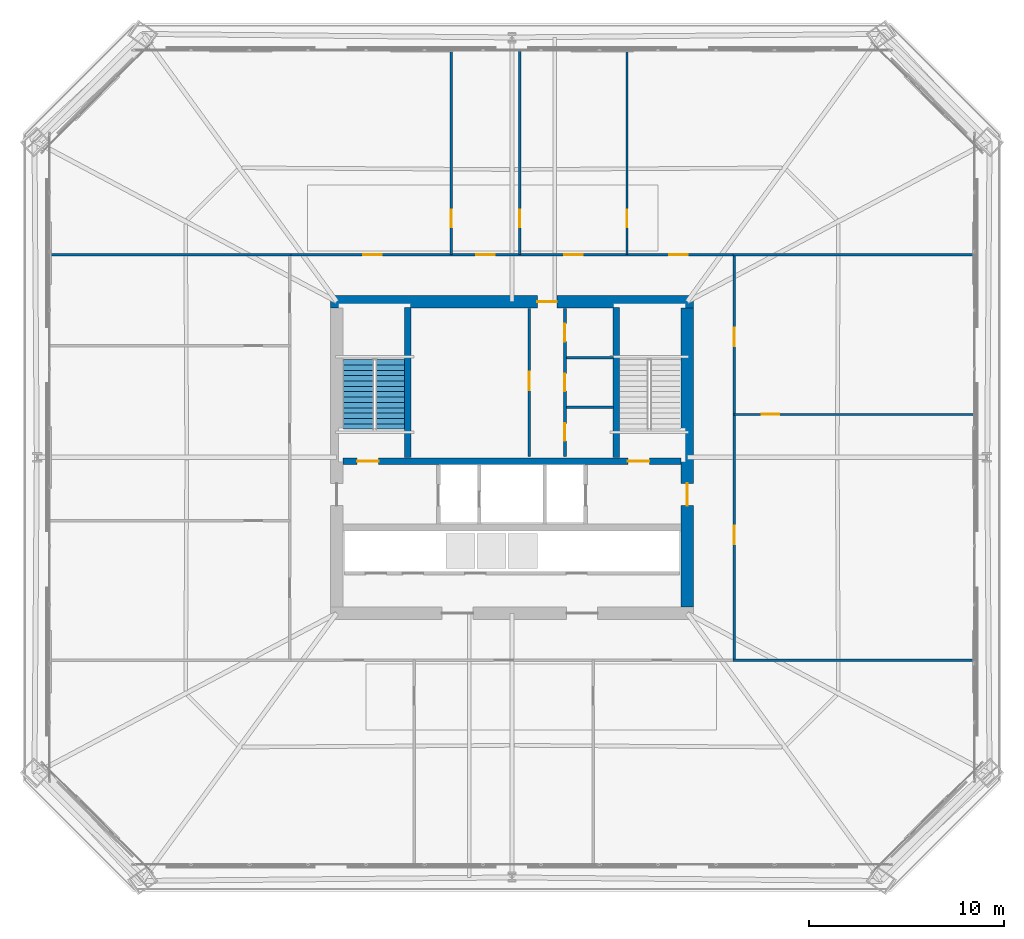
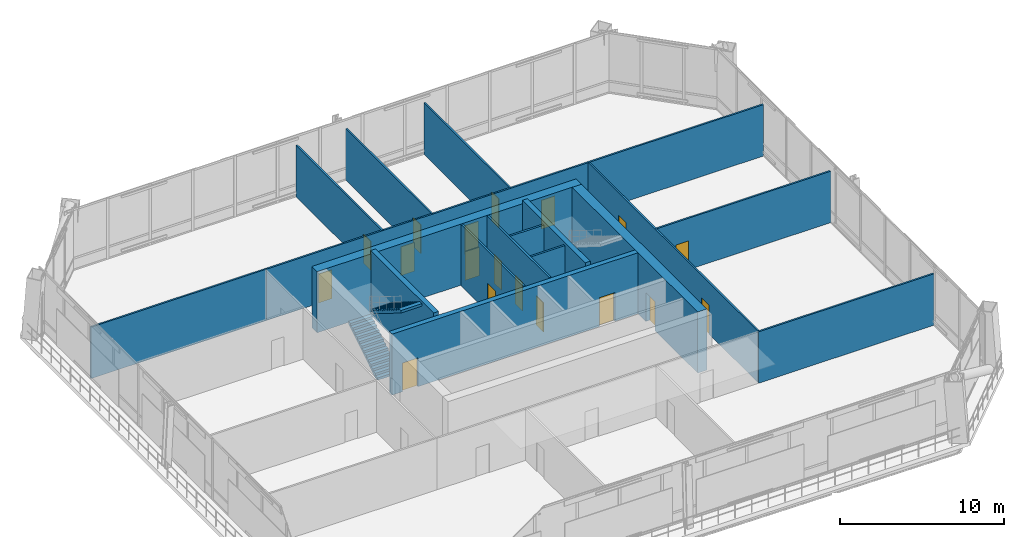
# One storey, part 43 of 48: 18 doors, 18 walls, 2 stair flights, 18 openings, 1 element without a shape of its own.
"""IFC4 building model written with IfcOpenShell, lengths in metres."""

from ifc_helpers import new_model, si_unit, direction, frame, frame_2d, origin, place, context, subcontext, project, spatial, polyline, rectangle, outline, extrude, material, layer, layer_set, type_object, element, fill, aggregate, save


model = new_model("IFC4")

# Units and contexts
model_context = context("Model", 3, precision=1e-05, world=origin(), true_north=direction((0.0, 1.0)))
body_context = subcontext(model_context, "Body", "Model", "MODEL_VIEW")
ifc_project = project(units=[si_unit("LENGTHUNIT", "METRE"), si_unit("AREAUNIT", "SQUARE_METRE"), si_unit("VOLUMEUNIT", "CUBIC_METRE"), si_unit("PLANEANGLEUNIT", "RADIAN"), si_unit("MASSUNIT", "GRAM", prefix="KILO")], contexts=[model_context])

# Site, building, storey
site_placement = place(None, origin())
site = spatial("IfcSite", under=ifc_project, at=site_placement, CompositionType="ELEMENT")
building_placement = place(site_placement, origin())
building = spatial("IfcBuilding", under=site, at=building_placement, Name="Caelvoria Tower", CompositionType="ELEMENT")
storey_placement = place(building_placement, frame((0.0, 0.0, 90.39990234375)))
storey = spatial("IfcBuildingStorey", under=building, at=storey_placement, Name="L23", CompositionType="ELEMENT", Elevation=90.39990234375)

# Wall, openings, doors
ifc_material_1 = material(Name="Concrete C50/60", Category="concrete")
ifc_layer_1 = layer(ifc_material_1, 0.35009765625, Name="Concrete C50/60")
ifc_layer_set_1 = layer_set([ifc_layer_1], Name="Core Internal Shear Wall 350 - Concrete C50/60")
wall_type_1 = type_object("IfcWallType", Name="Core Internal Shear Wall 350", PredefinedType="SHEAR", material=ifc_layer_set_1)
wall_1_placement = place(storey_placement, frame((37.324951171875, 31.800048828125, 0.0), z_axis=(0.0, 0.0, 1.0), x_axis=(1.0, 0.0, 0.0)))
wall_1 = element("IfcWall", 1, at=wall_1_placement, inside=storey, type_object=wall_type_1, Name="Core Shear Wall L23 M1", PredefinedType="SHEAR", context=body_context, shape_type="SweptSolid", body=[
    extrude(rectangle(XDim=17.35009765625, YDim=0.35009765625, at=frame_2d((8.675048828125, 0.0))), origin(), (0.0, 0.0, 1.0), 4.56005859375),
])
opening_1_placement = place(wall_1_placement, frame((0.72509765625, 0.0, 0.0)))
opening_1 = element("IfcOpeningElement", 2, at=opening_1_placement, cuts=wall_1, Name="Opening ID-01", PredefinedType="OPENING", context=body_context, shape_type="SweptSolid", body=[
    extrude(rectangle(XDim=1.10009765625, YDim=2.14990234375, at=frame_2d((0.550048828125, 1.074951171875))), frame((0.0, 0.18505859375, 0.0), z_axis=(0.0, -1.0, 0.0), x_axis=(1.0, 0.0, 0.0)), (0.0, 0.0, 1.0), 0.3701171875),
])
opening_2_placement = place(wall_1_placement, frame((14.625, 0.0, 0.0)))
opening_2 = element("IfcOpeningElement", 3, at=opening_2_placement, cuts=wall_1, Name="Opening ID-01", PredefinedType="OPENING", context=body_context, shape_type="SweptSolid", body=[
    extrude(rectangle(XDim=1.10009765625, YDim=2.14990234375, at=frame_2d((0.550048828125, 1.074951171875))), frame((0.0, 0.18505859375, 0.0), z_axis=(0.0, -1.0, 0.0), x_axis=(1.0, 0.0, 0.0)), (0.0, 0.0, 1.0), 0.3701171875),
])
ifc_material_2 = material(Name="Painted Hollow Steel Fire Door", Category="steel")
door_type_1 = type_object("IfcDoorType", Name="Fire Door FD90S 1100x2150", OperationType="NOTDEFINED", PredefinedType="DOOR", material=ifc_material_2)
door_1_placement = place(opening_1_placement, origin())
door_1 = element("IfcDoor", 4, at=door_1_placement, inside=storey, type_object=door_type_1, Name="Core Door DR-L23-ST1", OperationType="SINGLE_SWING_LEFT", OverallHeight=2.14990234375, OverallWidth=1.10009765625, PredefinedType="DOOR", context=body_context, shape_type="SweptSolid", body=[
    extrude(rectangle(XDim=1.10009765625, YDim=2.14990234375, at=frame_2d((0.550048828125, 1.074951171875))), frame((0.0, 0.02490234375, 0.0), z_axis=(0.0, -1.0, 0.0), x_axis=(1.0, 0.0, 0.0)), (0.0, 0.0, 1.0), 0.050048828125),
])
fill(opening_1, door_1)
door_2_placement = place(opening_2_placement, origin())
door_2 = element("IfcDoor", 5, at=door_2_placement, inside=storey, type_object=door_type_1, Name="Core Door DR-L23-ST2", OperationType="SINGLE_SWING_RIGHT", OverallHeight=2.14990234375, OverallWidth=1.10009765625, PredefinedType="DOOR", context=body_context, shape_type="SweptSolid", body=[
    extrude(rectangle(XDim=1.10009765625, YDim=2.14990234375, at=frame_2d((0.550048828125, 1.074951171875))), frame((0.0, 0.02490234375, 0.0), z_axis=(0.0, -1.0, 0.0), x_axis=(1.0, 0.0, 0.0)), (0.0, 0.0, 1.0), 0.050048828125),
])
fill(opening_2, door_2)

# Walls
for number, where, z_axis, x_axis, name in (
    (6, (40.64990234375, 32.0, 0.0), (0.0, 0.0, 1.0), (0.0, 1.0, 0.0), "Interior Partition IW-L23-ST1E"),
    (7, (51.35009765625, 32.0, 0.0), (0.0, 0.0, 1.0), (0.0, 1.0, 0.0), "Interior Partition IW-L23-ST2W"),
):
    element("IfcWall", number, at=place(storey_placement, frame(where, z_axis=z_axis, x_axis=x_axis)), inside=storey, type_object=wall_type_1, Name=name, PredefinedType="SHEAR", context=body_context, shape_type="SweptSolid", body=[
        extrude(rectangle(XDim=7.699951171875, YDim=0.35009765625, at=frame_2d((3.85009765625, 0.0))), origin(), (0.0, 0.0, 1.0), 4.800048828125),
    ])

# Wall, opening, door
ifc_material_3 = material(Name="Moisture-Resistant Gypsum on Steel Stud", Category="steel")
ifc_layer_2 = layer(ifc_material_3, 0.139892578125, Name="Moisture-Resistant Gypsum on Steel Stud")
ifc_layer_set_2 = layer_set([ifc_layer_2], Name="Core Sanitary Acoustic Partition Wall 140 - Moisture-Resistant Gypsum on Steel Stud")
wall_type_2 = type_object("IfcWallType", Name="Core Sanitary Acoustic Partition Wall 140", PredefinedType="PARTITIONING", material=ifc_layer_set_2)
wall_2_placement = place(storey_placement, frame((46.8798828125, 32.050048828125, 0.0), z_axis=(0.0, 0.0, 1.0), x_axis=(0.0, 1.0, 0.0)))
wall_2 = element("IfcWall", 8, at=wall_2_placement, inside=storey, type_object=wall_type_2, Name="Interior Partition IW-L23-C2L", PredefinedType="PARTITIONING", context=body_context, shape_type="SweptSolid", body=[
    extrude(rectangle(XDim=7.599853515625, YDim=0.139892578125, at=frame_2d((3.7998046875, 0.0))), origin(), (0.0, 0.0, 1.0), 4.56005859375),
])
opening_3_placement = place(wall_2_placement, frame((3.39990234375, 0.0, 0.0)))
opening_3 = element("IfcOpeningElement", 9, at=opening_3_placement, cuts=wall_2, Name="Opening ID-05", PredefinedType="OPENING", context=body_context, shape_type="SweptSolid", body=[
    extrude(rectangle(XDim=0.949951171875, YDim=2.14990234375, at=frame_2d((0.47509765625, 1.074951171875))), frame((0.0, 0.079833984375, 0.0), z_axis=(0.0, -1.0, 0.0), x_axis=(1.0, 0.0, 0.0)), (0.0, 0.0, 1.0), 0.159912109375),
])
ifc_material_4 = material(Name="Engineered Andean Oak Veneer Door", Category="wood")
door_type_2 = type_object("IfcDoorType", Name="Interior Timber Door 950x2150", OperationType="NOTDEFINED", PredefinedType="DOOR", material=ifc_material_4)
door_3_placement = place(opening_3_placement, origin())
door_3 = element("IfcDoor", 10, at=door_3_placement, inside=storey, type_object=door_type_2, Name="Interior Door DR-L23-C2W", OperationType="SINGLE_SWING_LEFT", OverallHeight=2.14990234375, OverallWidth=0.949951171875, PredefinedType="DOOR", context=body_context, shape_type="SweptSolid", body=[
    extrude(rectangle(XDim=0.949951171875, YDim=2.14990234375, at=frame_2d((0.47509765625, 1.074951171875))), frame((0.0, 0.02490234375, 0.0), z_axis=(0.0, -1.0, 0.0), x_axis=(1.0, 0.0, 0.0)), (0.0, 0.0, 1.0), 0.050048828125),
])
fill(opening_3, door_3)

# Wall, openings, doors
wall_3_placement = place(storey_placement, frame((48.719970703125, 32.050048828125, 0.0), z_axis=(0.0, 0.0, 1.0), x_axis=(0.0, 1.0, 0.0)))
wall_3 = element("IfcWall", 11, at=wall_3_placement, inside=storey, type_object=wall_type_2, Name="Interior Partition IW-L23-C2R", PredefinedType="PARTITIONING", context=body_context, shape_type="SweptSolid", body=[
    extrude(rectangle(XDim=7.599853515625, YDim=0.139892578125, at=frame_2d((3.7998046875, 0.0))), origin(), (0.0, 0.0, 1.0), 4.56005859375),
])
opening_4_placement = place(wall_3_placement, frame((0.800048828125, 0.0, 0.0)))
opening_4 = element("IfcOpeningElement", 12, at=opening_4_placement, cuts=wall_3, Name="Opening ID-04", PredefinedType="OPENING", context=body_context, shape_type="SweptSolid", body=[
    extrude(rectangle(XDim=0.89990234375, YDim=2.14990234375, at=frame_2d((0.449951171875, 1.074951171875))), frame((0.0, 0.079833984375, 0.0), z_axis=(0.0, -1.0, 0.0), x_axis=(1.0, 0.0, 0.0)), (0.0, 0.0, 1.0), 0.159912109375),
])
opening_5_placement = place(wall_3_placement, frame((3.35009765625, 0.0, 0.0)))
opening_5 = element("IfcOpeningElement", 13, at=opening_5_placement, cuts=wall_3, Name="Opening ID-06", PredefinedType="OPENING", context=body_context, shape_type="SweptSolid", body=[
    extrude(rectangle(XDim=0.89990234375, YDim=2.14990234375, at=frame_2d((0.449951171875, 1.074951171875))), frame((0.0, 0.079833984375, 0.0), z_axis=(0.0, -1.0, 0.0), x_axis=(1.0, 0.0, 0.0)), (0.0, 0.0, 1.0), 0.159912109375),
])
opening_6_placement = place(wall_3_placement, frame((5.89990234375, 0.0, 0.0)))
opening_6 = element("IfcOpeningElement", 14, at=opening_6_placement, cuts=wall_3, Name="Opening ID-07", PredefinedType="OPENING", context=body_context, shape_type="SweptSolid", body=[
    extrude(rectangle(XDim=0.919921875, YDim=2.14990234375, at=frame_2d((0.4599609375, 1.074951171875))), frame((0.0, 0.079833984375, 0.0), z_axis=(0.0, -1.0, 0.0), x_axis=(1.0, 0.0, 0.0)), (0.0, 0.0, 1.0), 0.159912109375),
])
ifc_material_5 = material(Name="Engineered Andean Oak Accessible Door", Category="wood")
door_type_3 = type_object("IfcDoorType", Name="Accessible WC Door 950x2150", OperationType="NOTDEFINED", PredefinedType="DOOR", material=ifc_material_5)
door_4_placement = place(opening_6_placement, origin())
door_4 = element("IfcDoor", 15, at=door_4_placement, inside=storey, type_object=door_type_3, Name="Interior Door DR-L23-C2E3", OperationType="SINGLE_SWING_RIGHT", OverallHeight=2.14990234375, OverallWidth=0.919921875, PredefinedType="DOOR", context=body_context, shape_type="SweptSolid", body=[
    extrude(rectangle(XDim=0.919921875, YDim=2.14990234375, at=frame_2d((0.4599609375, 1.074951171875))), frame((0.0, 0.02490234375, 0.0), z_axis=(0.0, -1.0, 0.0), x_axis=(1.0, 0.0, 0.0)), (0.0, 0.0, 1.0), 0.050048828125),
])
fill(opening_6, door_4)
ifc_material_6 = material(Name="Acoustic Timber Fire Door", Category="wood")
door_type_4 = type_object("IfcDoorType", Name="Fire Door FD30S 900x2150", OperationType="NOTDEFINED", PredefinedType="DOOR", material=ifc_material_6)
door_5_placement = place(opening_4_placement, origin())
door_5 = element("IfcDoor", 16, at=door_5_placement, inside=storey, type_object=door_type_4, Name="Interior Door DR-L23-C2E1", OperationType="SINGLE_SWING_RIGHT", OverallHeight=2.14990234375, OverallWidth=0.89990234375, PredefinedType="DOOR", context=body_context, shape_type="SweptSolid", body=[
    extrude(rectangle(XDim=0.89990234375, YDim=2.14990234375, at=frame_2d((0.449951171875, 1.074951171875))), frame((0.0, 0.02490234375, 0.0), z_axis=(0.0, -1.0, 0.0), x_axis=(1.0, 0.0, 0.0)), (0.0, 0.0, 1.0), 0.050048828125),
])
fill(opening_4, door_5)
door_type_5 = type_object("IfcDoorType", Name="Interior Timber Door 900x2150", OperationType="NOTDEFINED", PredefinedType="DOOR", material=ifc_material_4)
door_6_placement = place(opening_5_placement, origin())
door_6 = element("IfcDoor", 17, at=door_6_placement, inside=storey, type_object=door_type_5, Name="Interior Door DR-L23-C2E2", OperationType="SINGLE_SWING_LEFT", OverallHeight=2.14990234375, OverallWidth=0.89990234375, PredefinedType="DOOR", context=body_context, shape_type="SweptSolid", body=[
    extrude(rectangle(XDim=0.89990234375, YDim=2.14990234375, at=frame_2d((0.449951171875, 1.074951171875))), frame((0.0, 0.02490234375, 0.0), z_axis=(0.0, -1.0, 0.0), x_axis=(1.0, 0.0, 0.0)), (0.0, 0.0, 1.0), 0.050048828125),
])
fill(opening_5, door_6)

# Walls
for number, where, z_axis, x_axis, name in (
    (18, (48.800048828125, 34.580078125, 0.0), (0.0, 0.0, 1.0), (1.0, 0.0, 0.0), "Interior Partition IW-L23-C2H1"),
    (19, (48.800048828125, 37.1201171875, 0.0), (0.0, 0.0, 1.0), (1.0, 0.0, 0.0), "Interior Partition IW-L23-C2H2"),
):
    element("IfcWall", number, at=place(storey_placement, frame(where, z_axis=z_axis, x_axis=x_axis)), inside=storey, type_object=wall_type_2, Name=name, PredefinedType="PARTITIONING", context=body_context, shape_type="SweptSolid", body=[
        extrude(rectangle(XDim=2.39990234375, YDim=0.139892578125, at=frame_2d((1.199951171875, 0.0))), origin(), (0.0, 0.0, 1.0), 4.56005859375),
    ])

# Wall, opening, door
ifc_material_7 = material(Name="Concrete C60/75", Category="concrete")
ifc_layer_3 = layer(ifc_material_7, 0.64990234375, Name="Concrete C60/75")
ifc_layer_set_3 = layer_set([ifc_layer_3], Name="Lower Core Shear Wall 650 - Concrete C60/75")
wall_type_3 = type_object("IfcWallType", Name="Lower Core Shear Wall 650", PredefinedType="SHEAR", material=ifc_layer_set_3)
wall_4_placement = place(storey_placement, frame((36.675048828125, 40.0, 0.0), z_axis=(0.0, 0.0, 1.0), x_axis=(1.0, 0.0, 0.0)))
wall_4 = element("IfcWall", 20, at=wall_4_placement, inside=storey, type_object=wall_type_3, Name="Core Shear Wall L23 N", PredefinedType="SHEAR", context=body_context, shape_type="SweptSolid", body=[
    extrude(rectangle(XDim=18.64990234375, YDim=0.64990234375, at=frame_2d((9.324951171875, 0.0))), origin(), (0.0, 0.0, 1.0), 4.56005859375),
])
opening_7_placement = place(wall_4_placement, frame((10.625, 0.0, 0.0)))
opening_7 = element("IfcOpeningElement", 21, at=opening_7_placement, cuts=wall_4, Name="Opening ID-03", PredefinedType="OPENING", context=body_context, shape_type="SweptSolid", body=[
    extrude(rectangle(XDim=1.0, YDim=2.14990234375, at=frame_2d((0.5, 1.074951171875))), frame((0.0, 0.3349609375, 0.0), z_axis=(0.0, -1.0, 0.0), x_axis=(1.0, 0.0, 0.0)), (0.0, 0.0, 1.0), 0.669921875),
])
door_type_6 = type_object("IfcDoorType", Name="Fire Door FD60S 1000x2150", OperationType="NOTDEFINED", PredefinedType="DOOR", material=ifc_material_2)
door_7_placement = place(opening_7_placement, origin())
door_7 = element("IfcDoor", 22, at=door_7_placement, inside=storey, type_object=door_type_6, Name="Core Door DR-L23-WC-MAIN", OperationType="SINGLE_SWING_RIGHT", OverallHeight=2.14990234375, OverallWidth=1.0, PredefinedType="DOOR", context=body_context, shape_type="SweptSolid", body=[
    extrude(rectangle(XDim=1.0, YDim=2.14990234375, at=frame_2d((0.5, 1.074951171875))), frame((0.0, 0.02490234375, 0.0), z_axis=(0.0, -1.0, 0.0), x_axis=(1.0, 0.0, 0.0)), (0.0, 0.0, 1.0), 0.050048828125),
])
fill(opening_7, door_7)

wall_5_placement = place(storey_placement, frame((55.0, 24.324951171875, 0.0), z_axis=(0.0, 0.0, 1.0), x_axis=(0.0, 1.0, 0.0)))
wall_5 = element("IfcWall", 23, at=wall_5_placement, inside=storey, type_object=wall_type_3, Name="Core Shear Wall L23 E", PredefinedType="SHEAR", context=body_context, shape_type="SweptSolid", body=[
    extrude(rectangle(XDim=15.35009765625, YDim=0.64990234375, at=frame_2d((7.675048828125, 0.0))), origin(), (0.0, 0.0, 1.0), 4.56005859375),
])
opening_8_placement = place(wall_5_placement, frame((5.199951171875, 0.0, 0.0)))
opening_8 = element("IfcOpeningElement", 24, at=opening_8_placement, cuts=wall_5, Name="Opening ID-02", PredefinedType="OPENING", context=body_context, shape_type="SweptSolid", body=[
    extrude(rectangle(XDim=1.14990234375, YDim=2.14990234375, at=frame_2d((0.574951171875, 1.074951171875))), frame((0.0, 0.3349609375, 0.0), z_axis=(0.0, -1.0, 0.0), x_axis=(1.0, 0.0, 0.0)), (0.0, 0.0, 1.0), 0.669921875),
])
door_type_7 = type_object("IfcDoorType", Name="Fire Door FD60S 1150x2150", OperationType="NOTDEFINED", PredefinedType="DOOR", material=ifc_material_2)
door_8_placement = place(opening_8_placement, origin())
door_8 = element("IfcDoor", 25, at=door_8_placement, inside=storey, type_object=door_type_7, Name="Core Door DR-L23-FFLE-OUT", OperationType="SINGLE_SWING_RIGHT", OverallHeight=2.14990234375, OverallWidth=1.14990234375, PredefinedType="DOOR", context=body_context, shape_type="SweptSolid", body=[
    extrude(rectangle(XDim=1.14990234375, YDim=2.14990234375, at=frame_2d((0.574951171875, 1.074951171875))), frame((0.0, 0.02490234375, 0.0), z_axis=(0.0, -1.0, 0.0), x_axis=(1.0, 0.0, 0.0)), (0.0, 0.0, 1.0), 0.050048828125),
])
fill(opening_8, door_8)

ifc_material_8 = material(Name="Acoustic Gypsum Board on Light-Gauge Stud", Category="gypsum")
ifc_layer_4 = layer(ifc_material_8, 0.1201171875, Name="Acoustic Gypsum Board on Light-Gauge Stud")
ifc_layer_set_4 = layer_set([ifc_layer_4], Name="Tenant Suite Acoustic Partition Wall 120 - Acoustic Gypsum Board on Light-Gauge Stud")
wall_type_4 = type_object("IfcWallType", Name="Tenant Suite Acoustic Partition Wall 120", PredefinedType="PARTITIONING", material=ifc_layer_set_4)
wall_6_placement = place(storey_placement, frame((42.872314453125, 42.409912109375, 0.0), z_axis=(0.0, 0.0, 1.0), x_axis=(0.0, 1.0, 0.0)))
wall_6 = element("IfcWall", 26, at=wall_6_placement, inside=storey, type_object=wall_type_4, Name="Interior Partition IW-L23-ND-00-0", PredefinedType="PARTITIONING", context=body_context, shape_type="SweptSolid", body=[
    extrude(rectangle(XDim=10.493408203125, YDim=0.1201171875, at=frame_2d((5.24658203125, 0.0))), origin(), (0.0, 0.0, 1.0), 3.840087890625),
])
opening_9_placement = place(wall_6_placement, frame((1.39990234375, 0.0, 0.0)))
opening_9 = element("IfcOpeningElement", 27, at=opening_9_placement, cuts=wall_6, Name="Opening ID-06", PredefinedType="OPENING", context=body_context, shape_type="SweptSolid", body=[
    extrude(rectangle(XDim=0.89990234375, YDim=2.14990234375, at=frame_2d((0.449951171875, 1.074951171875))), frame((0.0, 0.070068359375, 0.0), z_axis=(0.0, -1.0, 0.0), x_axis=(1.0, 0.0, 0.0)), (0.0, 0.0, 1.0), 0.14013671875),
])
door_9_placement = place(opening_9_placement, origin())
door_9 = element("IfcDoor", 28, at=door_9_placement, inside=storey, type_object=door_type_5, Name="Interior Door DR-L23-NM-00-0", OperationType="SINGLE_SWING_RIGHT", OverallHeight=2.14990234375, OverallWidth=0.89990234375, PredefinedType="DOOR", context=body_context, shape_type="SweptSolid", body=[
    extrude(rectangle(XDim=0.89990234375, YDim=2.14990234375, at=frame_2d((0.449951171875, 1.074951171875))), frame((0.0, 0.02490234375, 0.0), z_axis=(0.0, -1.0, 0.0), x_axis=(1.0, 0.0, 0.0)), (0.0, 0.0, 1.0), 0.050048828125),
])
fill(opening_9, door_9)

wall_7_placement = place(storey_placement, frame((46.39013671875, 42.409912109375, 0.0), z_axis=(0.0, 0.0, 1.0), x_axis=(0.0, 1.0, 0.0)))
wall_7 = element("IfcWall", 29, at=wall_7_placement, inside=storey, type_object=wall_type_4, Name="Interior Partition IW-L23-ND-01-0", PredefinedType="PARTITIONING", context=body_context, shape_type="SweptSolid", body=[
    extrude(rectangle(XDim=10.493408203125, YDim=0.1201171875, at=frame_2d((5.24658203125, 0.0))), origin(), (0.0, 0.0, 1.0), 3.840087890625),
])
opening_10_placement = place(wall_7_placement, frame((1.39990234375, 0.0, 0.0)))
opening_10 = element("IfcOpeningElement", 30, at=opening_10_placement, cuts=wall_7, Name="Opening ID-06", PredefinedType="OPENING", context=body_context, shape_type="SweptSolid", body=[
    extrude(rectangle(XDim=0.89990234375, YDim=2.14990234375, at=frame_2d((0.449951171875, 1.074951171875))), frame((0.0, 0.070068359375, 0.0), z_axis=(0.0, -1.0, 0.0), x_axis=(1.0, 0.0, 0.0)), (0.0, 0.0, 1.0), 0.14013671875),
])
door_10_placement = place(opening_10_placement, origin())
door_10 = element("IfcDoor", 31, at=door_10_placement, inside=storey, type_object=door_type_5, Name="Interior Door DR-L23-NM-01-0", OperationType="SINGLE_SWING_LEFT", OverallHeight=2.14990234375, OverallWidth=0.89990234375, PredefinedType="DOOR", context=body_context, shape_type="SweptSolid", body=[
    extrude(rectangle(XDim=0.89990234375, YDim=2.14990234375, at=frame_2d((0.449951171875, 1.074951171875))), frame((0.0, 0.02490234375, 0.0), z_axis=(0.0, -1.0, 0.0), x_axis=(1.0, 0.0, 0.0)), (0.0, 0.0, 1.0), 0.050048828125),
])
fill(opening_10, door_10)

wall_8_placement = place(storey_placement, frame((51.904296875, 42.409912109375, 0.0), z_axis=(0.0, 0.0, 1.0), x_axis=(0.0, 1.0, 0.0)))
wall_8 = element("IfcWall", 32, at=wall_8_placement, inside=storey, type_object=wall_type_4, Name="Interior Partition IW-L23-ND-02-0", PredefinedType="PARTITIONING", context=body_context, shape_type="SweptSolid", body=[
    extrude(rectangle(XDim=10.493408203125, YDim=0.1201171875, at=frame_2d((5.24658203125, 0.0))), origin(), (0.0, 0.0, 1.0), 3.840087890625),
])
opening_11_placement = place(wall_8_placement, frame((1.39990234375, 0.0, 0.0)))
opening_11 = element("IfcOpeningElement", 33, at=opening_11_placement, cuts=wall_8, Name="Opening ID-06", PredefinedType="OPENING", context=body_context, shape_type="SweptSolid", body=[
    extrude(rectangle(XDim=0.89990234375, YDim=2.14990234375, at=frame_2d((0.449951171875, 1.074951171875))), frame((0.0, 0.070068359375, 0.0), z_axis=(0.0, -1.0, 0.0), x_axis=(1.0, 0.0, 0.0)), (0.0, 0.0, 1.0), 0.14013671875),
])
door_11_placement = place(opening_11_placement, origin())
door_11 = element("IfcDoor", 34, at=door_11_placement, inside=storey, type_object=door_type_5, Name="Interior Door DR-L23-NM-02-0", OperationType="SINGLE_SWING_RIGHT", OverallHeight=2.14990234375, OverallWidth=0.89990234375, PredefinedType="DOOR", context=body_context, shape_type="SweptSolid", body=[
    extrude(rectangle(XDim=0.89990234375, YDim=2.14990234375, at=frame_2d((0.449951171875, 1.074951171875))), frame((0.0, 0.02490234375, 0.0), z_axis=(0.0, -1.0, 0.0), x_axis=(1.0, 0.0, 0.0)), (0.0, 0.0, 1.0), 0.050048828125),
])
fill(opening_11, door_11)

# Wall, openings, doors
wall_9_placement = place(storey_placement, frame((34.64990234375, 42.409912109375, 0.0), z_axis=(0.0, 0.0, 1.0), x_axis=(1.0, 0.0, 0.0)))
wall_9 = element("IfcWall", 35, at=wall_9_placement, inside=storey, type_object=wall_type_4, Name="Interior Partition IW-L23-NCW-0", PredefinedType="PARTITIONING", context=body_context, shape_type="SweptSolid", body=[
    extrude(rectangle(XDim=22.7001953125, YDim=0.1201171875, at=frame_2d((11.35009765625, 0.0))), origin(), (0.0, 0.0, 1.0), 3.840087890625),
])
opening_12_placement = place(wall_9_placement, frame((3.706298828125, 0.0, 0.0)))
opening_12 = element("IfcOpeningElement", 36, at=opening_12_placement, cuts=wall_9, Name="Opening ID-05", PredefinedType="OPENING", context=body_context, shape_type="SweptSolid", body=[
    extrude(rectangle(XDim=0.949951171875, YDim=2.14990234375, at=frame_2d((0.47509765625, 1.074951171875))), frame((0.0, 0.070068359375, 0.0), z_axis=(0.0, -1.0, 0.0), x_axis=(1.0, 0.0, 0.0)), (0.0, 0.0, 1.0), 0.14013671875),
])
opening_13_placement = place(wall_9_placement, frame((9.506103515625, 0.0, 0.0)))
opening_13 = element("IfcOpeningElement", 37, at=opening_13_placement, cuts=wall_9, Name="Opening ID-05", PredefinedType="OPENING", context=body_context, shape_type="SweptSolid", body=[
    extrude(rectangle(XDim=0.949951171875, YDim=2.14990234375, at=frame_2d((0.47509765625, 1.074951171875))), frame((0.0, 0.070068359375, 0.0), z_axis=(0.0, -1.0, 0.0), x_axis=(1.0, 0.0, 0.0)), (0.0, 0.0, 1.0), 0.14013671875),
])
opening_14_placement = place(wall_9_placement, frame((14.022216796875, 0.0, 0.0)))
opening_14 = element("IfcOpeningElement", 38, at=opening_14_placement, cuts=wall_9, Name="Opening ID-05", PredefinedType="OPENING", context=body_context, shape_type="SweptSolid", body=[
    extrude(rectangle(XDim=0.949951171875, YDim=2.14990234375, at=frame_2d((0.47509765625, 1.074951171875))), frame((0.0, 0.070068359375, 0.0), z_axis=(0.0, -1.0, 0.0), x_axis=(1.0, 0.0, 0.0)), (0.0, 0.0, 1.0), 0.14013671875),
])
opening_15_placement = place(wall_9_placement, frame((19.43212890625, 0.0, 0.0)))
opening_15 = element("IfcOpeningElement", 39, at=opening_15_placement, cuts=wall_9, Name="Opening ID-05", PredefinedType="OPENING", context=body_context, shape_type="SweptSolid", body=[
    extrude(rectangle(XDim=0.949951171875, YDim=2.14990234375, at=frame_2d((0.47509765625, 1.074951171875))), frame((0.0, 0.070068359375, 0.0), z_axis=(0.0, -1.0, 0.0), x_axis=(1.0, 0.0, 0.0)), (0.0, 0.0, 1.0), 0.14013671875),
])
door_12_placement = place(opening_12_placement, origin())
door_12 = element("IfcDoor", 40, at=door_12_placement, inside=storey, type_object=door_type_2, Name="Interior Door DR-L23-NC-00-0", OperationType="SINGLE_SWING_RIGHT", OverallHeight=2.14990234375, OverallWidth=0.949951171875, PredefinedType="DOOR", context=body_context, shape_type="SweptSolid", body=[
    extrude(rectangle(XDim=0.949951171875, YDim=2.14990234375, at=frame_2d((0.47509765625, 1.074951171875))), frame((0.0, 0.02490234375, 0.0), z_axis=(0.0, -1.0, 0.0), x_axis=(1.0, 0.0, 0.0)), (0.0, 0.0, 1.0), 0.050048828125),
])
fill(opening_12, door_12)
door_13_placement = place(opening_13_placement, origin())
door_13 = element("IfcDoor", 41, at=door_13_placement, inside=storey, type_object=door_type_2, Name="Interior Door DR-L23-NC-01-0", OperationType="SINGLE_SWING_LEFT", OverallHeight=2.14990234375, OverallWidth=0.949951171875, PredefinedType="DOOR", context=body_context, shape_type="SweptSolid", body=[
    extrude(rectangle(XDim=0.949951171875, YDim=2.14990234375, at=frame_2d((0.47509765625, 1.074951171875))), frame((0.0, 0.02490234375, 0.0), z_axis=(0.0, -1.0, 0.0), x_axis=(1.0, 0.0, 0.0)), (0.0, 0.0, 1.0), 0.050048828125),
])
fill(opening_13, door_13)
door_14_placement = place(opening_14_placement, origin())
door_14 = element("IfcDoor", 42, at=door_14_placement, inside=storey, type_object=door_type_2, Name="Interior Door DR-L23-NC-02-0", OperationType="SINGLE_SWING_RIGHT", OverallHeight=2.14990234375, OverallWidth=0.949951171875, PredefinedType="DOOR", context=body_context, shape_type="SweptSolid", body=[
    extrude(rectangle(XDim=0.949951171875, YDim=2.14990234375, at=frame_2d((0.47509765625, 1.074951171875))), frame((0.0, 0.02490234375, 0.0), z_axis=(0.0, -1.0, 0.0), x_axis=(1.0, 0.0, 0.0)), (0.0, 0.0, 1.0), 0.050048828125),
])
fill(opening_14, door_14)
door_15_placement = place(opening_15_placement, origin())
door_15 = element("IfcDoor", 43, at=door_15_placement, inside=storey, type_object=door_type_2, Name="Interior Door DR-L23-NC-03-0", OperationType="SINGLE_SWING_LEFT", OverallHeight=2.14990234375, OverallWidth=0.949951171875, PredefinedType="DOOR", context=body_context, shape_type="SweptSolid", body=[
    extrude(rectangle(XDim=0.949951171875, YDim=2.14990234375, at=frame_2d((0.47509765625, 1.074951171875))), frame((0.0, 0.02490234375, 0.0), z_axis=(0.0, -1.0, 0.0), x_axis=(1.0, 0.0, 0.0)), (0.0, 0.0, 1.0), 0.050048828125),
])
fill(opening_15, door_15)

# Wall, opening, door
wall_10_placement = place(storey_placement, frame((57.409912109375, 34.208251953125, 0.0), z_axis=(0.0, 0.0, 1.0), x_axis=(1.0, 0.0, 0.0)))
wall_10 = element("IfcWall", 44, at=wall_10_placement, inside=storey, type_object=wall_type_4, Name="Interior Partition IW-L23-ED-00-0", PredefinedType="PARTITIONING", context=body_context, shape_type="SweptSolid", body=[
    extrude(rectangle(XDim=12.326904296875, YDim=0.1201171875, at=frame_2d((6.16357421875, 0.0))), origin(), (0.0, 0.0, 1.0), 3.840087890625),
])
opening_16_placement = place(wall_10_placement, frame((1.39990234375, 0.0, 0.0)))
opening_16 = element("IfcOpeningElement", 45, at=opening_16_placement, cuts=wall_10, Name="Opening ID-06", PredefinedType="OPENING", context=body_context, shape_type="SweptSolid", body=[
    extrude(rectangle(XDim=0.89990234375, YDim=2.14990234375, at=frame_2d((0.449951171875, 1.074951171875))), frame((0.0, 0.070068359375, 0.0), z_axis=(0.0, -1.0, 0.0), x_axis=(1.0, 0.0, 0.0)), (0.0, 0.0, 1.0), 0.14013671875),
])
door_16_placement = place(opening_16_placement, origin())
door_16 = element("IfcDoor", 46, at=door_16_placement, inside=storey, type_object=door_type_5, Name="Interior Door DR-L23-EM-00-0", OperationType="SINGLE_SWING_RIGHT", OverallHeight=2.14990234375, OverallWidth=0.89990234375, PredefinedType="DOOR", context=body_context, shape_type="SweptSolid", body=[
    extrude(rectangle(XDim=0.89990234375, YDim=2.14990234375, at=frame_2d((0.449951171875, 1.074951171875))), frame((0.0, 0.02490234375, 0.0), z_axis=(0.0, -1.0, 0.0), x_axis=(1.0, 0.0, 0.0)), (0.0, 0.0, 1.0), 0.050048828125),
])
fill(opening_16, door_16)

# Wall, openings, doors
wall_11_placement = place(storey_placement, frame((57.409912109375, 21.64990234375, 0.0), z_axis=(0.0, 0.0, 1.0), x_axis=(0.0, 1.0, 0.0)))
wall_11 = element("IfcWall", 47, at=wall_11_placement, inside=storey, type_object=wall_type_4, Name="Interior Partition IW-L23-ECW-0", PredefinedType="PARTITIONING", context=body_context, shape_type="SweptSolid", body=[
    extrude(rectangle(XDim=20.7001953125, YDim=0.1201171875, at=frame_2d((10.35009765625, 0.0))), origin(), (0.0, 0.0, 1.0), 3.840087890625),
])
opening_17_placement = place(wall_11_placement, frame((5.904052734375, 0.0, 0.0)))
opening_17 = element("IfcOpeningElement", 48, at=opening_17_placement, cuts=wall_11, Name="Opening ID-05", PredefinedType="OPENING", context=body_context, shape_type="SweptSolid", body=[
    extrude(rectangle(XDim=0.949951171875, YDim=2.14990234375, at=frame_2d((0.47509765625, 1.074951171875))), frame((0.0, 0.070068359375, 0.0), z_axis=(0.0, -1.0, 0.0), x_axis=(1.0, 0.0, 0.0)), (0.0, 0.0, 1.0), 0.14013671875),
])
opening_18_placement = place(wall_11_placement, frame((16.05419921875, 0.0, 0.0)))
opening_18 = element("IfcOpeningElement", 49, at=opening_18_placement, cuts=wall_11, Name="Opening ID-05", PredefinedType="OPENING", context=body_context, shape_type="SweptSolid", body=[
    extrude(rectangle(XDim=0.949951171875, YDim=2.14990234375, at=frame_2d((0.47509765625, 1.074951171875))), frame((0.0, 0.070068359375, 0.0), z_axis=(0.0, -1.0, 0.0), x_axis=(1.0, 0.0, 0.0)), (0.0, 0.0, 1.0), 0.14013671875),
])
door_17_placement = place(opening_17_placement, origin())
door_17 = element("IfcDoor", 50, at=door_17_placement, inside=storey, type_object=door_type_2, Name="Interior Door DR-L23-EC-00-0", OperationType="SINGLE_SWING_RIGHT", OverallHeight=2.14990234375, OverallWidth=0.949951171875, PredefinedType="DOOR", context=body_context, shape_type="SweptSolid", body=[
    extrude(rectangle(XDim=0.949951171875, YDim=2.14990234375, at=frame_2d((0.47509765625, 1.074951171875))), frame((0.0, 0.02490234375, 0.0), z_axis=(0.0, -1.0, 0.0), x_axis=(1.0, 0.0, 0.0)), (0.0, 0.0, 1.0), 0.050048828125),
])
fill(opening_17, door_17)
door_18_placement = place(opening_18_placement, origin())
door_18 = element("IfcDoor", 51, at=door_18_placement, inside=storey, type_object=door_type_2, Name="Interior Door DR-L23-EC-01-0", OperationType="SINGLE_SWING_LEFT", OverallHeight=2.14990234375, OverallWidth=0.949951171875, PredefinedType="DOOR", context=body_context, shape_type="SweptSolid", body=[
    extrude(rectangle(XDim=0.949951171875, YDim=2.14990234375, at=frame_2d((0.47509765625, 1.074951171875))), frame((0.0, 0.02490234375, 0.0), z_axis=(0.0, -1.0, 0.0), x_axis=(1.0, 0.0, 0.0)), (0.0, 0.0, 1.0), 0.050048828125),
])
fill(opening_18, door_18)

# Walls
for number, where, z_axis, x_axis, name in (
    (52, (57.35009765625, 21.590087890625, 0.0), (0.0, 0.0, 1.0), (1.0, 0.0, 0.0), "Interior Partition IW-L23-BSE-0"),
    (53, (34.64990234375, 42.409912109375, 0.0), (0.0, 0.0, 1.0), (-1.0, 0.0, 0.0), "Interior Partition IW-L23-BNW-0"),
    (54, (57.35009765625, 42.409912109375, 0.0), (0.0, 0.0, 1.0), (1.0, 0.0, 0.0), "Interior Partition IW-L23-BNE-0"),
):
    element("IfcWall", number, at=place(storey_placement, frame(where, z_axis=z_axis, x_axis=x_axis)), inside=storey, type_object=wall_type_4, Name=name, PredefinedType="PARTITIONING", context=body_context, shape_type="SweptSolid", body=[
        extrude(rectangle(XDim=12.38671875, YDim=0.1201171875, at=frame_2d((6.193359375, 0.0))), origin(), (0.0, 0.0, 1.0), 3.840087890625),
    ])

# Stair, stair flights
ifc_material_9 = material(Name="Concrete C40/50", Category="concrete")
stair_type = type_object("IfcStairType", Name="Core Smokeproof Dogleg Stair Concrete C40/50", PredefinedType="HALF_TURN_STAIR", material=ifc_material_9)
stair_placement = place(storey_placement, origin())
stair = element("IfcStair", 55, at=stair_placement, inside=storey, type_object=stair_type, Name="ST-01 Smokeproof Exit Stair L23", PredefinedType="HALF_TURN_STAIR")
ifc_material_10 = material(Name="Precast Concrete C40/50", Category="concrete")
stair_flight_type = type_object("IfcStairFlightType", Name="Precast Concrete C40/50 Stair Flight 1480", PredefinedType="STRAIGHT", material=ifc_material_10)
stair_flight_1_placement = place(storey_placement, frame((38.1298828125, 33.449951171875, 0.0), z_axis=(0.0, 0.0, 1.0), x_axis=(0.0, 1.0, 0.0)))
stair_flight_1 = element("IfcStairFlight", 56, at=stair_flight_1_placement, type_object=stair_flight_type, Name="ST-01 flight 1", NumberOfRisers=14, NumberOfTreads=13, PredefinedType="STRAIGHT", RiserHeight=0.1714, TreadLength=0.275, context=body_context, shape_type="SweptSolid", body=[
    extrude(outline(polyline([(0.0, 0.0), (0.0, 0.17138671875), (0.27490234375, 0.17138671875), (0.27490234375, 0.3427734375), (0.550048828125, 0.3427734375), (0.550048828125, 0.51416015625), (0.824951171875, 0.51416015625), (0.824951171875, 0.685546875), (1.10009765625, 0.685546875), (1.10009765625, 0.85693359375), (1.375, 0.85693359375), (1.375, 1.0283203125), (1.64990234375, 1.0283203125), (1.64990234375, 1.19970703125), (1.925048828125, 1.19970703125), (1.925048828125, 1.37109375), (2.199951171875, 1.37109375), (2.199951171875, 1.54248046875), (2.47509765625, 1.54248046875), (2.47509765625, 1.714111328125), (2.75, 1.714111328125), (2.75, 1.885498046875), (3.02490234375, 1.885498046875), (3.02490234375, 2.056884765625), (3.300048828125, 2.056884765625), (3.300048828125, 2.228271484375), (3.574951171875, 2.228271484375), (3.574951171875, 2.399658203125), (3.574951171875, 2.039794921875), (0.30224609375, 0.0), (0.0, 0.0)])), frame((0.0, 0.77001953125, 0.0), z_axis=(0.0, -1.0, 0.0), x_axis=(1.0, 0.0, 0.0)), (0.0, 0.0, 1.0), 1.5400390625),
])
stair_flight_2_placement = place(storey_placement, frame((39.77001953125, 37.02490234375, 2.400146484375), z_axis=(0.0, 0.0, 1.0), x_axis=(0.0, -1.0, 0.0)))
stair_flight_2 = element("IfcStairFlight", 57, at=stair_flight_2_placement, type_object=stair_flight_type, Name="ST-01 flight 2", NumberOfRisers=14, NumberOfTreads=13, PredefinedType="STRAIGHT", RiserHeight=0.1714, TreadLength=0.275, context=body_context, shape_type="SweptSolid", body=[
    extrude(outline(polyline([(0.0, 0.0), (0.0, 0.17138671875), (0.27490234375, 0.17138671875), (0.27490234375, 0.3427734375), (0.550048828125, 0.3427734375), (0.550048828125, 0.51416015625), (0.824951171875, 0.51416015625), (0.824951171875, 0.685546875), (1.10009765625, 0.685546875), (1.10009765625, 0.85693359375), (1.375, 0.85693359375), (1.375, 1.0283203125), (1.64990234375, 1.0283203125), (1.64990234375, 1.19970703125), (1.925048828125, 1.19970703125), (1.925048828125, 1.37109375), (2.199951171875, 1.37109375), (2.199951171875, 1.54248046875), (2.47509765625, 1.54248046875), (2.47509765625, 1.714111328125), (2.75, 1.714111328125), (2.75, 1.885498046875), (3.02490234375, 1.885498046875), (3.02490234375, 2.056884765625), (3.300048828125, 2.056884765625), (3.300048828125, 2.228271484375), (3.574951171875, 2.228271484375), (3.574951171875, 2.399658203125), (3.574951171875, 2.039794921875), (0.30224609375, 0.0), (0.0, 0.0)])), frame((0.0, 0.77001953125, 0.0), z_axis=(0.0, -1.0, 0.0), x_axis=(1.0, 0.0, 0.0)), (0.0, 0.0, 1.0), 1.5400390625),
])
aggregate(stair, [stair_flight_1, stair_flight_2])

save(model, "model.ifc")
